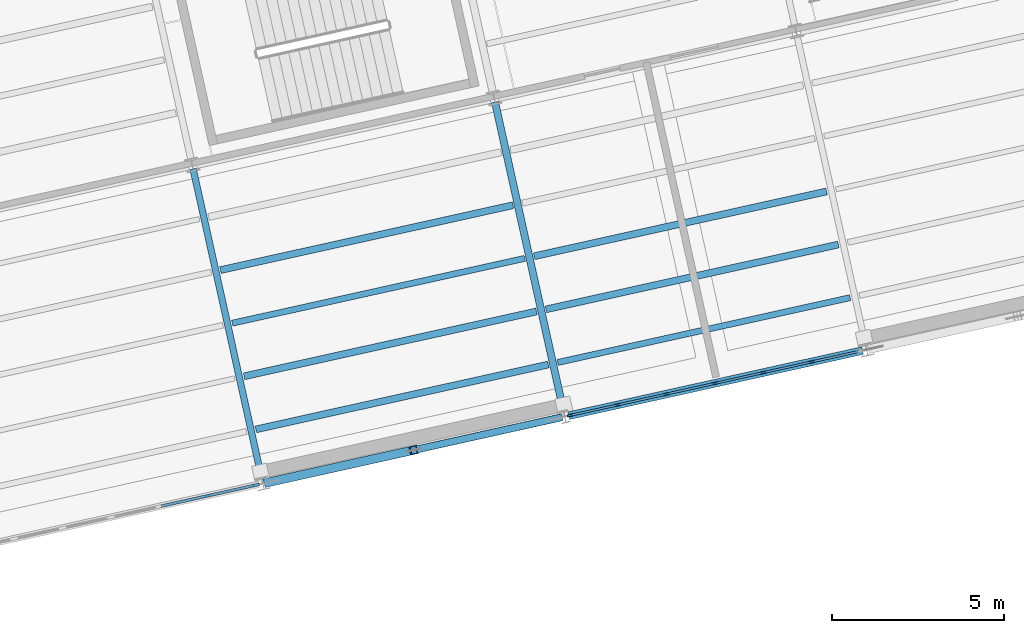
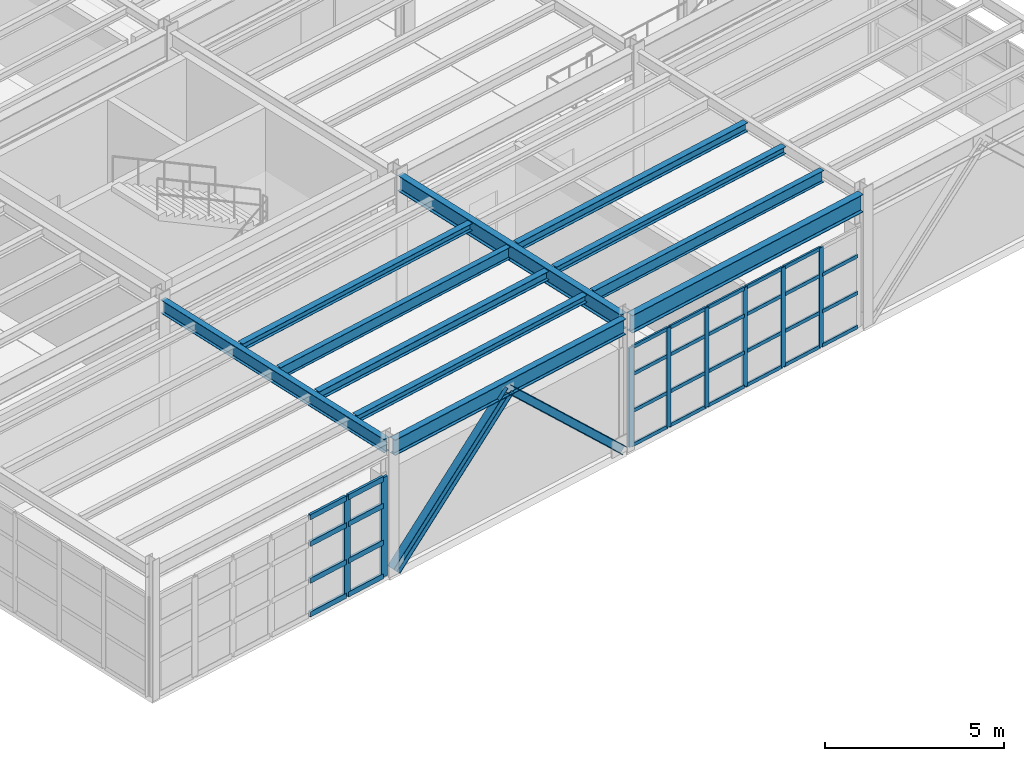
# One storey, part 58 of 109: 41 members, 11 beams, 2 elements without a shape of their own.
"""IFC4 building model written with IfcOpenShell, lengths in metres."""

from ifc_helpers import new_model, si_unit, direction, frame, origin, origin_2d, place, context, subcontext, project, spatial, rectangle, i_section, extrude, material, layer, layer_set, material_profile, profile_set, type_object, element, aggregate, save


model = new_model("IFC4")

# Units and contexts
model_context = context("Model", 3, precision=1e-05, world=origin(), true_north=direction((0.0, 1.0)))
body_context = subcontext(model_context, "Body", "Model", "MODEL_VIEW")
ifc_project = project(units=[si_unit("LENGTHUNIT", "METRE"), si_unit("AREAUNIT", "SQUARE_METRE"), si_unit("VOLUMEUNIT", "CUBIC_METRE"), si_unit("PLANEANGLEUNIT", "RADIAN"), si_unit("MASSUNIT", "GRAM", prefix="KILO")], contexts=[model_context])

# Site, building, storey
site_placement = place(None, origin())
site = spatial("IfcSite", under=ifc_project, at=site_placement, CompositionType="ELEMENT")
building_placement = place(site_placement, origin())
building = spatial("IfcBuilding", under=site, at=building_placement, Name="Vireo Bluff Cable Station", CompositionType="ELEMENT")
storey_placement = place(building_placement, frame((0.0, 0.0, 4.800048828125)))
storey = spatial("IfcBuildingStorey", under=building, at=storey_placement, Name="L01", CompositionType="ELEMENT", Elevation=4.800048828125)

# Beams
ifc_material_1 = material(Name="Steel ASTM A992 Gr. 50", Category="steel")
ifc_material_profile_1 = material_profile(ifc_material_1, i_section(OverallWidth=0.19091796875, OverallDepth=0.45703125, WebThickness=0.009033203125, FlangeThickness=0.014404296875, FilletRadius=0.011962890625, at=origin_2d()), Name="W18X50")
ifc_profile_set_1 = profile_set([ifc_material_profile_1], Name="Steel ASTM A992 Gr. 50")
beam_type_1 = type_object("IfcBeamType", Name="BM-W18X50", PredefinedType="BEAM", material=ifc_profile_set_1)
beam_1_placement = place(storey_placement, frame((134.7607421875, 76.065185546875, 4.3115234375), z_axis=(-0.216455863908, 0.976292404447, 0.0), x_axis=(-0.976292404447, -0.216455863908, 0.0)))
element("IfcBeam", 1, at=beam_1_placement, inside=storey, type_object=beam_type_1, Name="V2 L01 beam 459", PredefinedType="BEAM", context=body_context, shape_type="SweptSolid", body=[
    extrude(i_section(OverallWidth=0.19091796875, OverallDepth=0.45703125, WebThickness=0.009033203125, FlangeThickness=0.014404296875, FilletRadius=0.011962890625, at=origin_2d()), origin(), (0.0, 0.0, 1.0), 9.260009765625),
])
ifc_material_profile_2 = material_profile(ifc_material_1, i_section(OverallWidth=0.2099609375, OverallDepth=0.535888671875, WebThickness=0.010986328125, FlangeThickness=0.017333984375, FilletRadius=0.012939453125, at=origin_2d()), Name="W21X68")
ifc_profile_set_2 = profile_set([ifc_material_profile_2], Name="Steel ASTM A992 Gr. 50")
beam_type_2 = type_object("IfcBeamType", Name="BM-W21X68", PredefinedType="BEAM", material=ifc_profile_set_2)
beam_2_placement = place(storey_placement, frame((143.54736328125, 78.01318359375, 4.27197265625), z_axis=(-0.216436305166, 0.976296740651, 0.0), x_axis=(-0.976296740651, -0.216436305166, 0.0)))
element("IfcBeam", 2, at=beam_2_placement, inside=storey, type_object=beam_type_2, Name="V2 L01 beam 462", PredefinedType="BEAM", context=body_context, shape_type="SweptSolid", body=[
    extrude(i_section(OverallWidth=0.2099609375, OverallDepth=0.535888671875, WebThickness=0.010986328125, FlangeThickness=0.017333984375, FilletRadius=0.012939453125, at=origin_2d()), origin(), (0.0, 0.0, 1.0), 9.259765625),
])

# Members
ifc_material_profile_3 = material_profile(ifc_material_1, i_section(OverallWidth=0.2041015625, OverallDepth=0.257080078125, WebThickness=0.0087890625, FlangeThickness=0.015625, FilletRadius=0.009033203125, at=origin_2d()), Name="W10X45")
ifc_profile_set_3 = profile_set([ifc_material_profile_3], Name="Steel ASTM A992 Gr. 50")
member_type_1 = type_object("IfcMemberType", Name="BRC-01", PredefinedType="BRACE", material=ifc_profile_set_3)
member_1_placement = place(storey_placement, frame((143.417236328125, 77.861328125, 0.0400390625), z_axis=(-0.706452640158, -0.156627665322, 0.690211881722), x_axis=(0.216453952688, -0.976292828185, 0.0)))
element("IfcMember", 3, at=member_1_placement, inside=storey, type_object=member_type_1, Name="V2 L01 concentric brace 36R", PredefinedType="BRACE", context=body_context, shape_type="SweptSolid", body=[
    extrude(i_section(OverallWidth=0.2041015625, OverallDepth=0.257080078125, WebThickness=0.0087890625, FlangeThickness=0.015625, FilletRadius=0.009033203125, at=origin_2d()), origin(), (0.0, 0.0, 1.0), 5.998046875),
])
ifc_material_profile_4 = material_profile(ifc_material_1, i_section(OverallWidth=0.25390625, OverallDepth=0.35302734375, WebThickness=0.009521484375, FlangeThickness=0.016357421875, FilletRadius=0.011962890625, at=origin_2d()), Name="W14X61")
ifc_profile_set_4 = profile_set([ifc_material_profile_4], Name="Steel ASTM A992 Gr. 50")
member_type_2 = type_object("IfcMemberType", Name="BRC-06", PredefinedType="BRACE", material=ifc_profile_set_4)
member_2_placement = place(storey_placement, frame((134.94287109375, 75.982666015625, 0.0400390625), z_axis=(0.706436753261, 0.156592462679, 0.69023612936), x_axis=(-0.216412221259, 0.976302079528, 0.0)))
element("IfcMember", 4, at=member_2_placement, inside=storey, type_object=member_type_2, Name="V2 L01 concentric brace 35L", PredefinedType="BRACE", context=body_context, shape_type="SweptSolid", body=[
    extrude(i_section(OverallWidth=0.25390625, OverallDepth=0.35302734375, WebThickness=0.009521484375, FlangeThickness=0.016357421875, FilletRadius=0.011962890625, at=origin_2d()), origin(), (0.0, 0.0, 1.0), 5.997802734375),
])

# Curtain wall, members
ifc_material_2 = material(Name="Anodized Aluminium 6063-T6", Category="aluminium")
ifc_layer_1 = layer(ifc_material_2, 0.179931640625, Name="Anodized Aluminium 6063-T6")
ifc_layer_set_1 = layer_set([ifc_layer_1], Name="Anodized Aluminium 6063-T6")
curtain_wall_type_1 = type_object("IfcCurtainWallType", Name="CW-UNIT-1400", PredefinedType="USERDEFINED", material=ifc_layer_set_1)
curtain_wall_1_placement = place(storey_placement, origin())
curtain_wall_1 = element("IfcCurtainWall", 5, at=curtain_wall_1_placement, inside=storey, type_object=curtain_wall_type_1, Name="V2 L01 south curtain wall CW-042", ObjectType="UNITISED CURTAIN WALL", PredefinedType="USERDEFINED")
ifc_material_profile_5 = material_profile(ifc_material_2, rectangle(XDim=0.06005859375, YDim=0.159912109375, at=origin_2d()), Name="ALU-M-60X160")
ifc_profile_set_5 = profile_set([ifc_material_profile_5], Name="Anodized Aluminium 6063-T6")
member_type_3 = type_object("IfcMemberType", Name="CWM-03", PredefinedType="MULLION", material=ifc_profile_set_5)
member_3_placement = place(storey_placement, frame((150.7646484375, 79.490234375, 0.0), z_axis=(0.0, 0.0, 1.0), x_axis=(0.21643962164, -0.976296005412, 0.0)))
member_3 = element("IfcMember", 6, at=member_3_placement, type_object=member_type_3, Name="CW-042 mullion 2", PredefinedType="MULLION", context=body_context, shape_type="SweptSolid", body=[
    extrude(rectangle(XDim=0.06005859375, YDim=0.159912109375, at=origin_2d()), origin(), (0.0, 0.0, 1.0), 3.39990234375),
])
member_4_placement = place(storey_placement, frame((149.351806640625, 79.177001953125, 0.0), z_axis=(0.0, 0.0, 1.0), x_axis=(0.21643962164, -0.976296005412, 0.0)))
member_4 = element("IfcMember", 7, at=member_4_placement, type_object=member_type_3, Name="CW-042 mullion 3", PredefinedType="MULLION", context=body_context, shape_type="SweptSolid", body=[
    extrude(rectangle(XDim=0.06005859375, YDim=0.159912109375, at=origin_2d()), origin(), (0.0, 0.0, 1.0), 3.39990234375),
])
member_5_placement = place(storey_placement, frame((147.93896484375, 78.86376953125, 0.0), z_axis=(0.0, 0.0, 1.0), x_axis=(0.21643962164, -0.976296005412, 0.0)))
member_5 = element("IfcMember", 8, at=member_5_placement, type_object=member_type_3, Name="CW-042 mullion 4", PredefinedType="MULLION", context=body_context, shape_type="SweptSolid", body=[
    extrude(rectangle(XDim=0.06005859375, YDim=0.159912109375, at=origin_2d()), origin(), (0.0, 0.0, 1.0), 3.39990234375),
])
member_6_placement = place(storey_placement, frame((146.5263671875, 78.550537109375, 0.0), z_axis=(0.0, 0.0, 1.0), x_axis=(0.21643962164, -0.976296005412, 0.0)))
member_6 = element("IfcMember", 9, at=member_6_placement, type_object=member_type_3, Name="CW-042 mullion 5", PredefinedType="MULLION", context=body_context, shape_type="SweptSolid", body=[
    extrude(rectangle(XDim=0.06005859375, YDim=0.159912109375, at=origin_2d()), origin(), (0.0, 0.0, 1.0), 3.39990234375),
])
member_7_placement = place(storey_placement, frame((145.113525390625, 78.2373046875, 0.0), z_axis=(0.0, 0.0, 1.0), x_axis=(0.21643962164, -0.976296005412, 0.0)))
member_7 = element("IfcMember", 10, at=member_7_placement, type_object=member_type_3, Name="CW-042 mullion 6", PredefinedType="MULLION", context=body_context, shape_type="SweptSolid", body=[
    extrude(rectangle(XDim=0.06005859375, YDim=0.159912109375, at=origin_2d()), origin(), (0.0, 0.0, 1.0), 3.39990234375),
])
member_8_placement = place(storey_placement, frame((143.72998046875, 77.9306640625, 0.0), z_axis=(0.0, 0.0, 1.0), x_axis=(0.21643962164, -0.976296005412, 0.0)))
member_8 = element("IfcMember", 11, at=member_8_placement, type_object=member_type_3, Name="CW-042 mullion 7", PredefinedType="MULLION", context=body_context, shape_type="SweptSolid", body=[
    extrude(rectangle(XDim=0.06005859375, YDim=0.159912109375, at=origin_2d()), origin(), (0.0, 0.0, 1.0), 3.39990234375),
])

ifc_layer_2 = layer(ifc_material_2, 0.179931640625, Name="Anodized Aluminium 6063-T6")
ifc_layer_set_2 = layer_set([ifc_layer_2], Name="Anodized Aluminium 6063-T6")
curtain_wall_type_2 = type_object("IfcCurtainWallType", Name="CW-UNIT-1500", PredefinedType="USERDEFINED", material=ifc_layer_set_2)
curtain_wall_2_placement = place(storey_placement, origin())
curtain_wall_2 = element("IfcCurtainWall", 12, at=curtain_wall_2_placement, inside=storey, type_object=curtain_wall_type_2, Name="V2 L01 south curtain wall CW-043", ObjectType="UNITISED CURTAIN WALL", PredefinedType="USERDEFINED")
ifc_material_profile_6 = material_profile(ifc_material_2, rectangle(XDim=0.080078125, YDim=0.239990234375, at=origin_2d()), Name="ALU-M-80X240")
ifc_profile_set_6 = profile_set([ifc_material_profile_6], Name="Anodized Aluminium 6063-T6")
member_type_4 = type_object("IfcMemberType", Name="CWM-04", PredefinedType="MULLION", material=ifc_profile_set_6)
member_9_placement = place(storey_placement, frame((134.56494140625, 75.89892578125, 0.0), z_axis=(0.0, 0.0, 1.0), x_axis=(0.216439535726, -0.976296024459, 0.0)))
member_9 = element("IfcMember", 13, at=member_9_placement, type_object=member_type_4, Name="CW-043 mullion 1", PredefinedType="MULLION", context=body_context, shape_type="SweptSolid", body=[
    extrude(rectangle(XDim=0.080078125, YDim=0.239990234375, at=origin_2d()), origin(), (0.0, 0.0, 1.0), 3.39990234375),
])
member_10_placement = place(storey_placement, frame((133.191162109375, 75.59423828125, 0.0), z_axis=(0.0, 0.0, 1.0), x_axis=(0.216439535726, -0.976296024459, 0.0)))
member_10 = element("IfcMember", 14, at=member_10_placement, type_object=member_type_4, Name="CW-043 mullion 2", PredefinedType="MULLION", context=body_context, shape_type="SweptSolid", body=[
    extrude(rectangle(XDim=0.080078125, YDim=0.239990234375, at=origin_2d()), origin(), (0.0, 0.0, 1.0), 3.39990234375),
])

# Member
ifc_material_profile_7 = material_profile(ifc_material_2, rectangle(XDim=0.06005859375, YDim=0.1201171875, at=origin_2d()), Name="ALU-T-60X120")
ifc_profile_set_7 = profile_set([ifc_material_profile_7], Name="Anodized Aluminium 6063-T6")
member_type_5 = type_object("IfcMemberType", Name="CWT-03", PredefinedType="USERDEFINED", material=ifc_profile_set_7)
member_11_placement = place(storey_placement, frame((152.118896484375, 79.79052734375, 0.030029296875), z_axis=(-0.976263188696, -0.216587595207, 0.0), x_axis=(0.216587595207, -0.976263188696, 0.0)))
member_11 = element("IfcMember", 15, at=member_11_placement, type_object=member_type_5, Name="CW-042 transom 1.1", ObjectType="TRANSOM", PredefinedType="USERDEFINED", context=body_context, shape_type="SweptSolid", body=[
    extrude(rectangle(XDim=0.06005859375, YDim=0.1201171875, at=origin_2d()), origin(), (0.0, 0.0, 1.0), 1.357177734375),
])

member_12_placement = place(storey_placement, frame((152.118896484375, 79.79052734375, 1.18994140625), z_axis=(-0.976263188696, -0.216587595207, 0.0), x_axis=(0.216587595207, -0.976263188696, 0.0)))
member_12 = element("IfcMember", 16, at=member_12_placement, type_object=member_type_5, Name="CW-042 transom 1.2", ObjectType="TRANSOM", PredefinedType="USERDEFINED", context=body_context, shape_type="SweptSolid", body=[
    extrude(rectangle(XDim=0.06005859375, YDim=0.1201171875, at=origin_2d()), origin(), (0.0, 0.0, 1.0), 1.357177734375),
])

member_13_placement = place(storey_placement, frame((152.118896484375, 79.79052734375, 2.447998046875), z_axis=(-0.976263188696, -0.216587595207, 0.0), x_axis=(0.216587595207, -0.976263188696, 0.0)))
member_13 = element("IfcMember", 17, at=member_13_placement, type_object=member_type_5, Name="CW-042 transom 1.3", ObjectType="TRANSOM", PredefinedType="USERDEFINED", context=body_context, shape_type="SweptSolid", body=[
    extrude(rectangle(XDim=0.06005859375, YDim=0.1201171875, at=origin_2d()), origin(), (0.0, 0.0, 1.0), 1.357177734375),
])

member_14_placement = place(storey_placement, frame((150.7353515625, 79.483642578125, 0.030029296875), z_axis=(-0.976323532497, -0.216315417602, 0.0), x_axis=(0.216315417602, -0.976323532497, 0.0)))
member_14 = element("IfcMember", 18, at=member_14_placement, type_object=member_type_5, Name="CW-042 transom 2.1", ObjectType="TRANSOM", PredefinedType="USERDEFINED", context=body_context, shape_type="SweptSolid", body=[
    extrude(rectangle(XDim=0.06005859375, YDim=0.1201171875, at=origin_2d()), origin(), (0.0, 0.0, 1.0), 1.38720703125),
])

member_15_placement = place(storey_placement, frame((150.7353515625, 79.483642578125, 1.18994140625), z_axis=(-0.976323532497, -0.216315417602, 0.0), x_axis=(0.216315417602, -0.976323532497, 0.0)))
member_15 = element("IfcMember", 19, at=member_15_placement, type_object=member_type_5, Name="CW-042 transom 2.2", ObjectType="TRANSOM", PredefinedType="USERDEFINED", context=body_context, shape_type="SweptSolid", body=[
    extrude(rectangle(XDim=0.06005859375, YDim=0.1201171875, at=origin_2d()), origin(), (0.0, 0.0, 1.0), 1.38720703125),
])

member_16_placement = place(storey_placement, frame((150.7353515625, 79.483642578125, 2.447998046875), z_axis=(-0.976323532497, -0.216315417602, 0.0), x_axis=(0.216315417602, -0.976323532497, 0.0)))
member_16 = element("IfcMember", 20, at=member_16_placement, type_object=member_type_5, Name="CW-042 transom 2.3", ObjectType="TRANSOM", PredefinedType="USERDEFINED", context=body_context, shape_type="SweptSolid", body=[
    extrude(rectangle(XDim=0.06005859375, YDim=0.1201171875, at=origin_2d()), origin(), (0.0, 0.0, 1.0), 1.38720703125),
])

member_17_placement = place(storey_placement, frame((150.7353515625, 79.483642578125, 3.369873046875), z_axis=(-0.976323532497, -0.216315417602, 0.0), x_axis=(0.216315417602, -0.976323532497, 0.0)))
member_17 = element("IfcMember", 21, at=member_17_placement, type_object=member_type_5, Name="CW-042 transom 2.4", ObjectType="TRANSOM", PredefinedType="USERDEFINED", context=body_context, shape_type="SweptSolid", body=[
    extrude(rectangle(XDim=0.06005859375, YDim=0.1201171875, at=origin_2d()), origin(), (0.0, 0.0, 1.0), 1.38720703125),
])

member_18_placement = place(storey_placement, frame((149.322509765625, 79.17041015625, 0.030029296875), z_axis=(-0.976323532497, -0.216315417602, 0.0), x_axis=(0.216315417602, -0.976323532497, 0.0)))
member_18 = element("IfcMember", 22, at=member_18_placement, type_object=member_type_5, Name="CW-042 transom 3.1", ObjectType="TRANSOM", PredefinedType="USERDEFINED", context=body_context, shape_type="SweptSolid", body=[
    extrude(rectangle(XDim=0.06005859375, YDim=0.1201171875, at=origin_2d()), origin(), (0.0, 0.0, 1.0), 1.38720703125),
])

member_19_placement = place(storey_placement, frame((149.322509765625, 79.17041015625, 1.18994140625), z_axis=(-0.976323532497, -0.216315417602, 0.0), x_axis=(0.216315417602, -0.976323532497, 0.0)))
member_19 = element("IfcMember", 23, at=member_19_placement, type_object=member_type_5, Name="CW-042 transom 3.2", ObjectType="TRANSOM", PredefinedType="USERDEFINED", context=body_context, shape_type="SweptSolid", body=[
    extrude(rectangle(XDim=0.06005859375, YDim=0.1201171875, at=origin_2d()), origin(), (0.0, 0.0, 1.0), 1.38720703125),
])

member_20_placement = place(storey_placement, frame((149.322509765625, 79.17041015625, 2.447998046875), z_axis=(-0.976323532497, -0.216315417602, 0.0), x_axis=(0.216315417602, -0.976323532497, 0.0)))
member_20 = element("IfcMember", 24, at=member_20_placement, type_object=member_type_5, Name="CW-042 transom 3.3", ObjectType="TRANSOM", PredefinedType="USERDEFINED", context=body_context, shape_type="SweptSolid", body=[
    extrude(rectangle(XDim=0.06005859375, YDim=0.1201171875, at=origin_2d()), origin(), (0.0, 0.0, 1.0), 1.38720703125),
])

member_21_placement = place(storey_placement, frame((149.322509765625, 79.17041015625, 3.369873046875), z_axis=(-0.976323532497, -0.216315417602, 0.0), x_axis=(0.216315417602, -0.976323532497, 0.0)))
member_21 = element("IfcMember", 25, at=member_21_placement, type_object=member_type_5, Name="CW-042 transom 3.4", ObjectType="TRANSOM", PredefinedType="USERDEFINED", context=body_context, shape_type="SweptSolid", body=[
    extrude(rectangle(XDim=0.06005859375, YDim=0.1201171875, at=origin_2d()), origin(), (0.0, 0.0, 1.0), 1.38720703125),
])

member_22_placement = place(storey_placement, frame((147.909912109375, 78.857177734375, 0.030029296875), z_axis=(-0.976323532497, -0.216315417602, 0.0), x_axis=(0.216315417602, -0.976323532497, 0.0)))
member_22 = element("IfcMember", 26, at=member_22_placement, type_object=member_type_5, Name="CW-042 transom 4.1", ObjectType="TRANSOM", PredefinedType="USERDEFINED", context=body_context, shape_type="SweptSolid", body=[
    extrude(rectangle(XDim=0.06005859375, YDim=0.1201171875, at=origin_2d()), origin(), (0.0, 0.0, 1.0), 1.38720703125),
])

member_23_placement = place(storey_placement, frame((147.909912109375, 78.857177734375, 1.18994140625), z_axis=(-0.976323532497, -0.216315417602, 0.0), x_axis=(0.216315417602, -0.976323532497, 0.0)))
member_23 = element("IfcMember", 27, at=member_23_placement, type_object=member_type_5, Name="CW-042 transom 4.2", ObjectType="TRANSOM", PredefinedType="USERDEFINED", context=body_context, shape_type="SweptSolid", body=[
    extrude(rectangle(XDim=0.06005859375, YDim=0.1201171875, at=origin_2d()), origin(), (0.0, 0.0, 1.0), 1.38720703125),
])

member_24_placement = place(storey_placement, frame((147.909912109375, 78.857177734375, 2.447998046875), z_axis=(-0.976323532497, -0.216315417602, 0.0), x_axis=(0.216315417602, -0.976323532497, 0.0)))
member_24 = element("IfcMember", 28, at=member_24_placement, type_object=member_type_5, Name="CW-042 transom 4.3", ObjectType="TRANSOM", PredefinedType="USERDEFINED", context=body_context, shape_type="SweptSolid", body=[
    extrude(rectangle(XDim=0.06005859375, YDim=0.1201171875, at=origin_2d()), origin(), (0.0, 0.0, 1.0), 1.38720703125),
])

member_25_placement = place(storey_placement, frame((147.909912109375, 78.857177734375, 3.369873046875), z_axis=(-0.976323532497, -0.216315417602, 0.0), x_axis=(0.216315417602, -0.976323532497, 0.0)))
member_25 = element("IfcMember", 29, at=member_25_placement, type_object=member_type_5, Name="CW-042 transom 4.4", ObjectType="TRANSOM", PredefinedType="USERDEFINED", context=body_context, shape_type="SweptSolid", body=[
    extrude(rectangle(XDim=0.06005859375, YDim=0.1201171875, at=origin_2d()), origin(), (0.0, 0.0, 1.0), 1.38720703125),
])

member_26_placement = place(storey_placement, frame((146.4970703125, 78.544189453125, 0.030029296875), z_axis=(-0.976286347422, -0.216483181419, 0.0), x_axis=(0.216483181419, -0.976286347422, 0.0)))
member_26 = element("IfcMember", 30, at=member_26_placement, type_object=member_type_5, Name="CW-042 transom 5.1", ObjectType="TRANSOM", PredefinedType="USERDEFINED", context=body_context, shape_type="SweptSolid", body=[
    extrude(rectangle(XDim=0.06005859375, YDim=0.1201171875, at=origin_2d()), origin(), (0.0, 0.0, 1.0), 1.38720703125),
])

member_27_placement = place(storey_placement, frame((146.4970703125, 78.544189453125, 1.18994140625), z_axis=(-0.976286347422, -0.216483181419, 0.0), x_axis=(0.216483181419, -0.976286347422, 0.0)))
member_27 = element("IfcMember", 31, at=member_27_placement, type_object=member_type_5, Name="CW-042 transom 5.2", ObjectType="TRANSOM", PredefinedType="USERDEFINED", context=body_context, shape_type="SweptSolid", body=[
    extrude(rectangle(XDim=0.06005859375, YDim=0.1201171875, at=origin_2d()), origin(), (0.0, 0.0, 1.0), 1.38720703125),
])

member_28_placement = place(storey_placement, frame((146.4970703125, 78.544189453125, 2.447998046875), z_axis=(-0.976286347422, -0.216483181419, 0.0), x_axis=(0.216483181419, -0.976286347422, 0.0)))
member_28 = element("IfcMember", 32, at=member_28_placement, type_object=member_type_5, Name="CW-042 transom 5.3", ObjectType="TRANSOM", PredefinedType="USERDEFINED", context=body_context, shape_type="SweptSolid", body=[
    extrude(rectangle(XDim=0.06005859375, YDim=0.1201171875, at=origin_2d()), origin(), (0.0, 0.0, 1.0), 1.38720703125),
])

member_29_placement = place(storey_placement, frame((146.4970703125, 78.544189453125, 3.369873046875), z_axis=(-0.976286347422, -0.216483181419, 0.0), x_axis=(0.216483181419, -0.976286347422, 0.0)))
member_29 = element("IfcMember", 33, at=member_29_placement, type_object=member_type_5, Name="CW-042 transom 5.4", ObjectType="TRANSOM", PredefinedType="USERDEFINED", context=body_context, shape_type="SweptSolid", body=[
    extrude(rectangle(XDim=0.06005859375, YDim=0.1201171875, at=origin_2d()), origin(), (0.0, 0.0, 1.0), 1.38720703125),
])

member_30_placement = place(storey_placement, frame((145.084228515625, 78.23095703125, 0.030029296875), z_axis=(-0.976301212237, -0.216416133835, 0.0), x_axis=(0.216416133835, -0.976301212237, 0.0)))
member_30 = element("IfcMember", 34, at=member_30_placement, type_object=member_type_5, Name="CW-042 transom 6.1", ObjectType="TRANSOM", PredefinedType="USERDEFINED", context=body_context, shape_type="SweptSolid", body=[
    extrude(rectangle(XDim=0.06005859375, YDim=0.1201171875, at=origin_2d()), origin(), (0.0, 0.0, 1.0), 1.357177734375),
])

member_31_placement = place(storey_placement, frame((145.084228515625, 78.23095703125, 1.18994140625), z_axis=(-0.976301212237, -0.216416133835, 0.0), x_axis=(0.216416133835, -0.976301212237, 0.0)))
member_31 = element("IfcMember", 35, at=member_31_placement, type_object=member_type_5, Name="CW-042 transom 6.2", ObjectType="TRANSOM", PredefinedType="USERDEFINED", context=body_context, shape_type="SweptSolid", body=[
    extrude(rectangle(XDim=0.06005859375, YDim=0.1201171875, at=origin_2d()), origin(), (0.0, 0.0, 1.0), 1.357177734375),
])

member_32_placement = place(storey_placement, frame((145.084228515625, 78.23095703125, 2.447998046875), z_axis=(-0.976301212237, -0.216416133835, 0.0), x_axis=(0.216416133835, -0.976301212237, 0.0)))
member_32 = element("IfcMember", 36, at=member_32_placement, type_object=member_type_5, Name="CW-042 transom 6.3", ObjectType="TRANSOM", PredefinedType="USERDEFINED", context=body_context, shape_type="SweptSolid", body=[
    extrude(rectangle(XDim=0.06005859375, YDim=0.1201171875, at=origin_2d()), origin(), (0.0, 0.0, 1.0), 1.357177734375),
])

member_33_placement = place(storey_placement, frame((145.084228515625, 78.23095703125, 3.369873046875), z_axis=(-0.976301212237, -0.216416133835, 0.0), x_axis=(0.216416133835, -0.976301212237, 0.0)))
member_33 = element("IfcMember", 37, at=member_33_placement, type_object=member_type_5, Name="CW-042 transom 6.4", ObjectType="TRANSOM", PredefinedType="USERDEFINED", context=body_context, shape_type="SweptSolid", body=[
    extrude(rectangle(XDim=0.06005859375, YDim=0.1201171875, at=origin_2d()), origin(), (0.0, 0.0, 1.0), 1.357177734375),
])

aggregate(curtain_wall_1, [member_3, member_4, member_5, member_6, member_7, member_8, member_11, member_12, member_13, member_14, member_15, member_16, member_17, member_18, member_19, member_20, member_21, member_22, member_23, member_24, member_25, member_26, member_27, member_28, member_29, member_30, member_31, member_32, member_33])

ifc_material_profile_8 = material_profile(ifc_material_2, rectangle(XDim=0.080078125, YDim=0.175048828125, at=origin_2d()), Name="ALU-T-80X175")
ifc_profile_set_8 = profile_set([ifc_material_profile_8], Name="Anodized Aluminium 6063-T6")
member_type_6 = type_object("IfcMemberType", Name="CWT-04", PredefinedType="USERDEFINED", material=ifc_profile_set_8)
member_34_placement = place(storey_placement, frame((134.52587890625, 75.89013671875, 0.0400390625), z_axis=(-0.976277872569, -0.216521397402, 0.0), x_axis=(0.216521397402, -0.976277872569, 0.0)))
member_34 = element("IfcMember", 38, at=member_34_placement, type_object=member_type_6, Name="CW-043 transom 1.1", ObjectType="TRANSOM", PredefinedType="USERDEFINED", context=body_context, shape_type="SweptSolid", body=[
    extrude(rectangle(XDim=0.080078125, YDim=0.175048828125, at=origin_2d()), origin(), (0.0, 0.0, 1.0), 1.3271484375),
])

member_35_placement = place(storey_placement, frame((134.52587890625, 75.89013671875, 1.18994140625), z_axis=(-0.976277872569, -0.216521397402, 0.0), x_axis=(0.216521397402, -0.976277872569, 0.0)))
member_35 = element("IfcMember", 39, at=member_35_placement, type_object=member_type_6, Name="CW-043 transom 1.2", ObjectType="TRANSOM", PredefinedType="USERDEFINED", context=body_context, shape_type="SweptSolid", body=[
    extrude(rectangle(XDim=0.080078125, YDim=0.175048828125, at=origin_2d()), origin(), (0.0, 0.0, 1.0), 1.3271484375),
])

member_36_placement = place(storey_placement, frame((134.52587890625, 75.89013671875, 2.447998046875), z_axis=(-0.976277872569, -0.216521397402, 0.0), x_axis=(0.216521397402, -0.976277872569, 0.0)))
member_36 = element("IfcMember", 40, at=member_36_placement, type_object=member_type_6, Name="CW-043 transom 1.3", ObjectType="TRANSOM", PredefinedType="USERDEFINED", context=body_context, shape_type="SweptSolid", body=[
    extrude(rectangle(XDim=0.080078125, YDim=0.175048828125, at=origin_2d()), origin(), (0.0, 0.0, 1.0), 1.3271484375),
])

member_37_placement = place(storey_placement, frame((134.52587890625, 75.89013671875, 3.35986328125), z_axis=(-0.976277872569, -0.216521397402, 0.0), x_axis=(0.216521397402, -0.976277872569, 0.0)))
member_37 = element("IfcMember", 41, at=member_37_placement, type_object=member_type_6, Name="CW-043 transom 1.4", ObjectType="TRANSOM", PredefinedType="USERDEFINED", context=body_context, shape_type="SweptSolid", body=[
    extrude(rectangle(XDim=0.080078125, YDim=0.175048828125, at=origin_2d()), origin(), (0.0, 0.0, 1.0), 1.3271484375),
])

member_38_placement = place(storey_placement, frame((133.152099609375, 75.58544921875, 0.0400390625), z_axis=(-0.976304548779, -0.216401081405, 0.0), x_axis=(0.216401081405, -0.976304548779, 0.0)))
member_38 = element("IfcMember", 42, at=member_38_placement, type_object=member_type_6, Name="CW-043 transom 2.1", ObjectType="TRANSOM", PredefinedType="USERDEFINED", context=body_context, shape_type="SweptSolid", body=[
    extrude(rectangle(XDim=0.080078125, YDim=0.175048828125, at=origin_2d()), origin(), (0.0, 0.0, 1.0), 1.367431640625),
])

member_39_placement = place(storey_placement, frame((133.152099609375, 75.58544921875, 1.18994140625), z_axis=(-0.976304548779, -0.216401081405, 0.0), x_axis=(0.216401081405, -0.976304548779, 0.0)))
member_39 = element("IfcMember", 43, at=member_39_placement, type_object=member_type_6, Name="CW-043 transom 2.2", ObjectType="TRANSOM", PredefinedType="USERDEFINED", context=body_context, shape_type="SweptSolid", body=[
    extrude(rectangle(XDim=0.080078125, YDim=0.175048828125, at=origin_2d()), origin(), (0.0, 0.0, 1.0), 1.367431640625),
])

member_40_placement = place(storey_placement, frame((133.152099609375, 75.58544921875, 2.447998046875), z_axis=(-0.976304548779, -0.216401081405, 0.0), x_axis=(0.216401081405, -0.976304548779, 0.0)))
member_40 = element("IfcMember", 44, at=member_40_placement, type_object=member_type_6, Name="CW-043 transom 2.3", ObjectType="TRANSOM", PredefinedType="USERDEFINED", context=body_context, shape_type="SweptSolid", body=[
    extrude(rectangle(XDim=0.080078125, YDim=0.175048828125, at=origin_2d()), origin(), (0.0, 0.0, 1.0), 1.367431640625),
])

member_41_placement = place(storey_placement, frame((133.152099609375, 75.58544921875, 3.35986328125), z_axis=(-0.976304548779, -0.216401081405, 0.0), x_axis=(0.216401081405, -0.976304548779, 0.0)))
member_41 = element("IfcMember", 45, at=member_41_placement, type_object=member_type_6, Name="CW-043 transom 2.4", ObjectType="TRANSOM", PredefinedType="USERDEFINED", context=body_context, shape_type="SweptSolid", body=[
    extrude(rectangle(XDim=0.080078125, YDim=0.175048828125, at=origin_2d()), origin(), (0.0, 0.0, 1.0), 1.367431640625),
])

aggregate(curtain_wall_2, [member_9, member_10, member_34, member_35, member_36, member_37, member_38, member_39, member_40, member_41])

# Beams
ifc_material_profile_9 = material_profile(ifc_material_1, i_section(OverallWidth=0.201904296875, OverallDepth=0.2470703125, WebThickness=0.00732421875, FlangeThickness=0.010986328125, FilletRadius=0.009033203125, at=origin_2d()), Name="W10X33")
ifc_profile_set_9 = profile_set([ifc_material_profile_9], Name="Steel ASTM A992 Gr. 50")
beam_type_3 = type_object("IfcBeamType", Name="JST-W10X33", PredefinedType="JOIST", material=ifc_profile_set_9)
beam_3_placement = place(storey_placement, frame((134.58056640625, 77.524169921875, 4.41650390625), z_axis=(0.976300234484, 0.216420544652, 0.0), x_axis=(-0.216420544652, 0.976300234484, 0.0)))
element("IfcBeam", 46, at=beam_3_placement, inside=storey, type_object=beam_type_3, Name="V2 L01 composite joist 486", PredefinedType="JOIST", context=body_context, shape_type="SweptSolid", body=[
    extrude(i_section(OverallWidth=0.201904296875, OverallDepth=0.2470703125, WebThickness=0.00732421875, FlangeThickness=0.010986328125, FilletRadius=0.009033203125, at=origin_2d()), origin(), (0.0, 0.0, 1.0), 8.719970703125),
])
beam_4_placement = place(storey_placement, frame((133.552490234375, 82.161376953125, 4.41650390625), z_axis=(0.976294318526, 0.216447230551, 0.0), x_axis=(-0.216447230551, 0.976294318526, 0.0)))
element("IfcBeam", 47, at=beam_4_placement, inside=storey, type_object=beam_type_3, Name="V2 L01 composite joist 489", PredefinedType="JOIST", context=body_context, shape_type="SweptSolid", body=[
    extrude(i_section(OverallWidth=0.201904296875, OverallDepth=0.2470703125, WebThickness=0.00732421875, FlangeThickness=0.010986328125, FilletRadius=0.009033203125, at=origin_2d()), origin(), (0.0, 0.0, 1.0), 8.72021484375),
])
beam_5_placement = place(storey_placement, frame((143.024658203125, 81.017822265625, 4.41650390625), z_axis=(0.976293006815, 0.216453146994, 0.0), x_axis=(-0.216453146994, 0.976293006815, 0.0)))
element("IfcBeam", 48, at=beam_5_placement, inside=storey, type_object=beam_type_3, Name="V2 L01 composite joist 497", PredefinedType="JOIST", context=body_context, shape_type="SweptSolid", body=[
    extrude(i_section(OverallWidth=0.201904296875, OverallDepth=0.2470703125, WebThickness=0.00732421875, FlangeThickness=0.010986328125, FilletRadius=0.009033203125, at=origin_2d()), origin(), (0.0, 0.0, 1.0), 8.719970703125),
])
ifc_material_profile_10 = material_profile(ifc_material_1, i_section(OverallWidth=0.202880859375, OverallDepth=0.302978515625, WebThickness=0.007568359375, FlangeThickness=0.01318359375, FilletRadius=0.010009765625, at=origin_2d()), Name="W12X40")
ifc_profile_set_10 = profile_set([ifc_material_profile_10], Name="Steel ASTM A992 Gr. 50")
beam_type_4 = type_object("IfcBeamType", Name="JST-W12X40", PredefinedType="JOIST", material=ifc_profile_set_10)
for number, where, z_axis, x_axis, name in (
    (49, (134.238037109375, 79.06982421875, 4.388427734375), (0.976293006815, 0.216453146994, 0.0), (-0.216453146994, 0.976293006815, 0.0), "V2 L01 composite joist 487"),
    (50, (142.681884765625, 82.563720703125, 4.388427734375), (0.976300234484, 0.216420544652, 0.0), (-0.216420544652, 0.976300234484, 0.0), "V2 L01 composite joist 498"),
):
    element("IfcBeam", number, at=place(storey_placement, frame(where, z_axis=z_axis, x_axis=x_axis)), inside=storey, type_object=beam_type_4, Name=name, PredefinedType="JOIST", context=body_context, shape_type="SweptSolid", body=[
        extrude(i_section(OverallWidth=0.202880859375, OverallDepth=0.302978515625, WebThickness=0.007568359375, FlangeThickness=0.01318359375, FilletRadius=0.010009765625, at=origin_2d()), origin(), (0.0, 0.0, 1.0), 8.719970703125),
    ])
ifc_material_profile_11 = material_profile(ifc_material_1, i_section(OverallWidth=0.177978515625, OverallDepth=0.404052734375, WebThickness=0.007568359375, FlangeThickness=0.010986328125, FilletRadius=0.010009765625, at=origin_2d()), Name="W16X36")
ifc_profile_set_11 = profile_set([ifc_material_profile_11], Name="Steel ASTM A992 Gr. 50")
beam_type_5 = type_object("IfcBeamType", Name="JST-W16X36", PredefinedType="JOIST", material=ifc_profile_set_11)
for number, where, z_axis, x_axis, name in (
    (51, (133.895263671875, 80.61572265625, 4.337890625), (0.976298923088, 0.216426460438, 0.0), (-0.216426460438, 0.976298923088, 0.0), "V2 L01 composite joist 488"),
    (52, (143.367431640625, 79.471923828125, 4.337890625), (0.976293006815, 0.216453146994, 0.0), (-0.216453146994, 0.976293006815, 0.0), "V2 L01 composite joist 496"),
):
    element("IfcBeam", number, at=place(storey_placement, frame(where, z_axis=z_axis, x_axis=x_axis)), inside=storey, type_object=beam_type_5, Name=name, PredefinedType="JOIST", context=body_context, shape_type="SweptSolid", body=[
        extrude(i_section(OverallWidth=0.177978515625, OverallDepth=0.404052734375, WebThickness=0.007568359375, FlangeThickness=0.010986328125, FilletRadius=0.010009765625, at=origin_2d()), origin(), (0.0, 0.0, 1.0), 8.719970703125),
    ])
ifc_material_profile_12 = material_profile(ifc_material_1, i_section(OverallWidth=0.2099609375, OverallDepth=0.535888671875, WebThickness=0.010986328125, FlangeThickness=0.017333984375, FilletRadius=0.012939453125, at=origin_2d()), Name="W21X68")
ifc_profile_set_12 = profile_set([ifc_material_profile_12], Name="Steel ASTM A992 Gr. 50")
beam_type_6 = type_object("IfcBeamType", Name="SPN-W21X68", PredefinedType="SPANDREL", material=ifc_profile_set_12)
beam_6_placement = place(storey_placement, frame((134.90380859375, 75.973876953125, 4.27197265625), z_axis=(0.976295795297, 0.216440569406, 0.0), x_axis=(-0.216440569406, 0.976295795297, 0.0)))
element("IfcBeam", 53, at=beam_6_placement, inside=storey, type_object=beam_type_6, Name="V2 L01 spandrel 441", PredefinedType="SPANDREL", context=body_context, shape_type="SweptSolid", body=[
    extrude(i_section(OverallWidth=0.2099609375, OverallDepth=0.535888671875, WebThickness=0.010986328125, FlangeThickness=0.017333984375, FilletRadius=0.012939453125, at=origin_2d()), origin(), (0.0, 0.0, 1.0), 8.760009765625),
])
ifc_material_profile_13 = material_profile(ifc_material_1, i_section(OverallWidth=0.22802734375, OverallDepth=0.60693359375, WebThickness=0.01123046875, FlangeThickness=0.017333984375, FilletRadius=0.012939453125, at=origin_2d()), Name="W24X76")
ifc_profile_set_13 = profile_set([ifc_material_profile_13], Name="Steel ASTM A992 Gr. 50")
beam_type_7 = type_object("IfcBeamType", Name="SPN-W24X76", PredefinedType="SPANDREL", material=ifc_profile_set_13)
beam_7_placement = place(storey_placement, frame((143.6904296875, 77.921875, 4.236572265625), z_axis=(0.97629710087, 0.216434680293, 0.0), x_axis=(-0.216434680293, 0.97629710087, 0.0)))
element("IfcBeam", 54, at=beam_7_placement, inside=storey, type_object=beam_type_7, Name="V2 L01 spandrel 442", PredefinedType="SPANDREL", context=body_context, shape_type="SweptSolid", body=[
    extrude(i_section(OverallWidth=0.22802734375, OverallDepth=0.60693359375, WebThickness=0.01123046875, FlangeThickness=0.017333984375, FilletRadius=0.012939453125, at=origin_2d()), origin(), (0.0, 0.0, 1.0), 8.760009765625),
])

save(model, "model.ifc")
